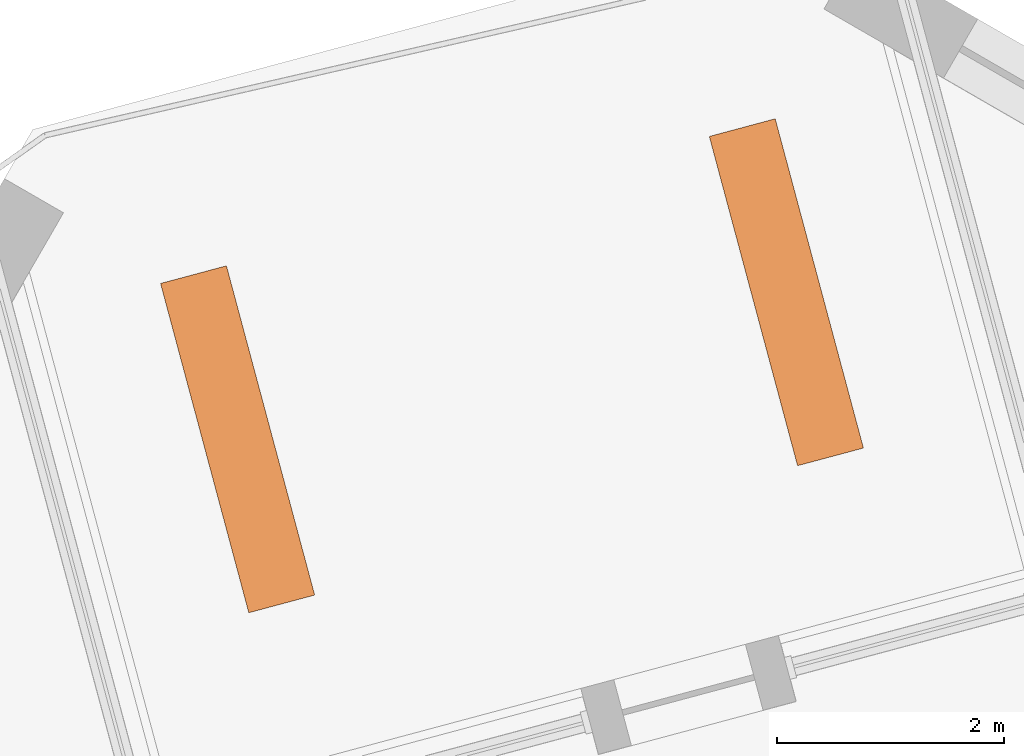
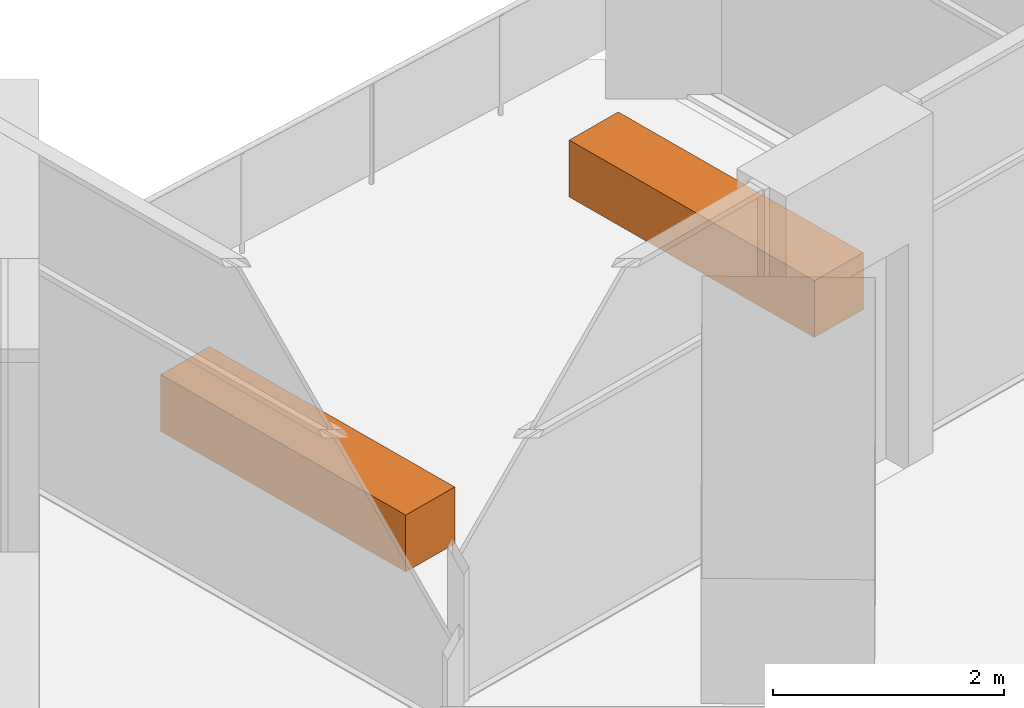
# One storey, part 13 of 13: 2 proxies.
"""IFC4 building model written with IfcOpenShell, lengths in metres."""

from ifc_helpers import new_model, si_unit, direction, frame, origin, origin_2d, place, context, subcontext, project, spatial, rectangle, extrude, element, save


model = new_model("IFC4")

# Units and contexts
model_context = context("Model", 3, precision=1e-05, world=origin(), true_north=direction((0.0, 1.0)))
body_context = subcontext(model_context, "Body", "Model", "MODEL_VIEW")
ifc_project = project(units=[si_unit("LENGTHUNIT", "METRE"), si_unit("AREAUNIT", "SQUARE_METRE"), si_unit("VOLUMEUNIT", "CUBIC_METRE"), si_unit("PLANEANGLEUNIT", "RADIAN"), si_unit("MASSUNIT", "GRAM", prefix="KILO")], contexts=[model_context])

# Site, building, storey
site_placement = place(None, origin())
site = spatial("IfcSite", under=ifc_project, at=site_placement, CompositionType="ELEMENT")
building_placement = place(site_placement, origin())
building = spatial("IfcBuilding", under=site, at=building_placement, Name="Dilmun Exchange Tower", CompositionType="ELEMENT")
storey_placement = place(building_placement, frame((0.0, 0.0, 270.89990234375)))
storey = spatial("IfcBuildingStorey", under=building, at=storey_placement, Name="L64", CompositionType="ELEMENT", Elevation=270.89990234375)

# Proxies
for number, where, z_axis, x_axis, name in (
    (1, (-1.392578125, 32.068359375, 0.0), (0.0, 0.0, 1.0), (-0.258819045103, 0.965925826289, 0.0), "PLANTER Desert shrub L64.1"),
    (2, (-6.22216796875, 30.7744140625, 0.0), (0.0, 0.0, 1.0), (-0.258819045103, 0.965925826289, 0.0), "PLANTER Desert shrub L64.2"),
):
    element("IfcBuildingElementProxy", number, at=place(storey_placement, frame(where, z_axis=z_axis, x_axis=x_axis)), inside=storey, Name=name, ObjectType="PLANTER", PredefinedType="USERDEFINED", context=body_context, shape_type="SweptSolid", body=[
        extrude(rectangle(XDim=3.0, YDim=0.60009765625, at=origin_2d()), origin(), (0.0, 0.0, 1.0), 0.60009765625),
    ])

save(model, "model.ifc")
